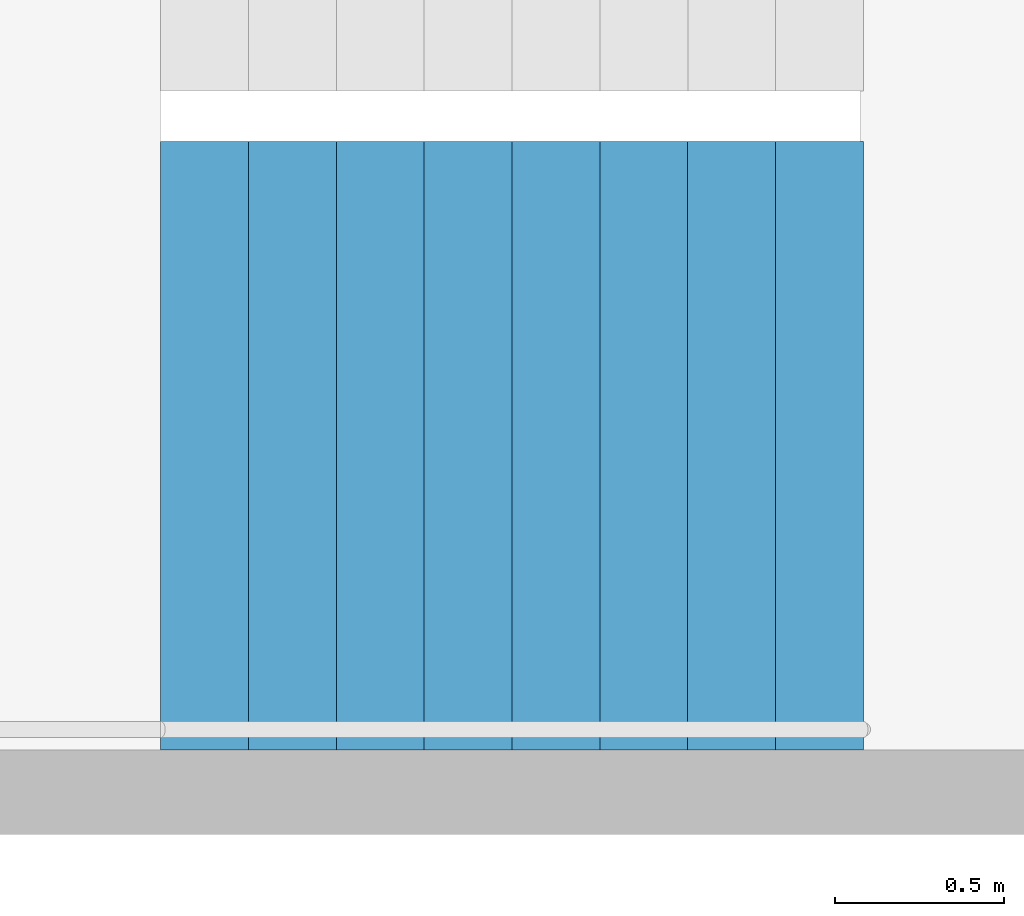
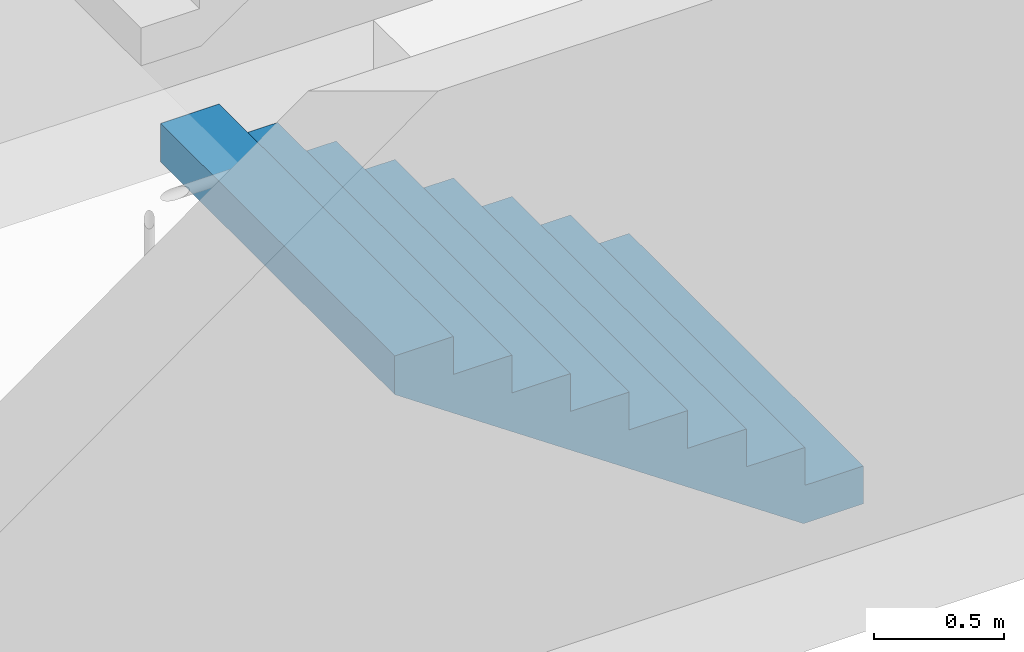
# One storey, part 26 of 28: 1 stair flight, 1 element without a shape of its own.
"""IFC4 building model written with IfcOpenShell, lengths in metres."""

from ifc_helpers import new_model, si_unit, direction, frame, origin, place, context, subcontext, project, spatial, triangles, material, type_object, element, aggregate, save


model = new_model("IFC4")

# Units and contexts
model_context = context("Model", 3, precision=1e-05, world=origin(), true_north=direction((0.0, 1.0)))
body_context = subcontext(model_context, "Body", "Model", "MODEL_VIEW")
ifc_project = project(units=[si_unit("LENGTHUNIT", "METRE"), si_unit("AREAUNIT", "SQUARE_METRE"), si_unit("VOLUMEUNIT", "CUBIC_METRE"), si_unit("PLANEANGLEUNIT", "RADIAN"), si_unit("MASSUNIT", "GRAM", prefix="KILO")], contexts=[model_context])

# Site, building, storey
site_placement = place(None, origin())
site = spatial("IfcSite", under=ifc_project, at=site_placement, CompositionType="ELEMENT")
building_placement = place(site_placement, origin())
building = spatial("IfcBuilding", under=site, at=building_placement, Name="Hakoniwa Tower and Hamabe Station Hall", CompositionType="ELEMENT")
storey_placement = place(building_placement, frame((0.0, 0.0, 42.199951171875)))
storey = spatial("IfcBuildingStorey", under=building, at=storey_placement, Name="L11", CompositionType="ELEMENT", Elevation=42.199951171875)

# Stair, stair flight
ifc_material_1 = material(Name="Concrete C40", Category="concrete")
stair_type = type_object("IfcStairType", Name="ESCAPE STAIR 1800", PredefinedType="HALF_TURN_STAIR", material=ifc_material_1)
stair_placement = place(storey_placement, origin())
stair = element("IfcStair", 1, at=stair_placement, inside=storey, type_object=stair_type, Name="Escape stair ST-3 L11", PredefinedType="HALF_TURN_STAIR")
ifc_material_2 = material(Name="Concrete C40", Category="concrete")
stair_flight_type = type_object("IfcStairFlightType", Name="STAIR FLIGHT 1800", PredefinedType="STRAIGHT", material=ifc_material_2)
stair_flight_placement = place(storey_placement, frame((24.39990234375, 4.64990234375, 0.0), z_axis=(0.0, 0.0, 1.0), x_axis=(-1.0, 0.0, 0.0)))
stair_flight = element("IfcStairFlight", 2, at=stair_flight_placement, type_object=stair_flight_type, Name="ST-3 flight 1", NumberOfRisers=9, NumberOfTreads=8, PredefinedType="STRAIGHT", RiserHeight=0.177777778, TreadLength=0.26, context=body_context, shape_type="Tessellation", body=[
    triangles([(0.0, 0.89990234375, 0.0), (0.260009765625, 0.89990234375, 0.0), (0.265625, 0.89990234375, 0.0), (0.52001953125, 0.89990234375, 0.174072265625), (0.780029296875, 0.89990234375, 0.351806640625), (1.0400390625, 0.89990234375, 0.529541015625), (1.300048828125, 0.89990234375, 0.707275390625), (1.56005859375, 0.89990234375, 0.885009765625), (1.820068359375, 0.89990234375, 1.062744140625), (2.080078125, 0.89990234375, 1.24072265625), (2.080078125, 0.89990234375, 1.422119140625), (1.820068359375, 0.89990234375, 1.422119140625), (1.820068359375, 0.89990234375, 1.244384765625), (1.56005859375, 0.89990234375, 1.244384765625), (1.56005859375, 0.89990234375, 1.066650390625), (1.300048828125, 0.89990234375, 1.066650390625), (1.300048828125, 0.89990234375, 0.888916015625), (1.0400390625, 0.89990234375, 0.888916015625), (1.0400390625, 0.89990234375, 0.711181640625), (0.780029296875, 0.89990234375, 0.711181640625), (0.780029296875, 0.89990234375, 0.533447265625), (0.52001953125, 0.89990234375, 0.533447265625), (0.52001953125, 0.89990234375, 0.35546875), (0.265625, 0.89990234375, 0.35546875), (0.260009765625, 0.89990234375, 0.35546875), (0.260009765625, 0.89990234375, 0.177734375), (0.0, 0.89990234375, 0.177734375), (0.0, 0.06005859375, 0.0), (0.260009765625, 0.06005859375, 0.0), (0.265625, 0.06005859375, 0.0), (0.52001953125, 0.06005859375, 0.174072265625), (0.780029296875, 0.06005859375, 0.351806640625), (1.0400390625, 0.06005859375, 0.529541015625), (1.300048828125, 0.06005859375, 0.707275390625), (1.56005859375, 0.06005859375, 0.885009765625), (1.820068359375, 0.06005859375, 1.062744140625), (2.080078125, 0.06005859375, 1.24072265625), (2.080078125, 0.06005859375, 1.422119140625), (1.820068359375, 0.06005859375, 1.422119140625), (1.820068359375, 0.06005859375, 1.244384765625), (1.56005859375, 0.06005859375, 1.244384765625), (1.56005859375, 0.06005859375, 1.066650390625), (1.300048828125, 0.06005859375, 1.066650390625), (1.300048828125, 0.06005859375, 0.888916015625), (1.0400390625, 0.06005859375, 0.888916015625), (1.0400390625, 0.06005859375, 0.711181640625), (0.780029296875, 0.06005859375, 0.711181640625), (0.780029296875, 0.06005859375, 0.533447265625), (0.52001953125, 0.06005859375, 0.533447265625), (0.52001953125, 0.06005859375, 0.35546875), (0.265625, 0.06005859375, 0.35546875), (0.260009765625, 0.06005859375, 0.35546875), (0.260009765625, 0.06005859375, 0.177734375), (0.0, 0.06005859375, 0.177734375), (0.0, 0.04296875, 0.0), (0.260009765625, 0.04296875, 0.0), (0.265625, 0.04296875, 0.0), (0.52001953125, 0.04296875, 0.174072265625), (0.780029296875, 0.04296875, 0.351806640625), (1.0400390625, 0.04296875, 0.529541015625), (1.300048828125, 0.04296875, 0.707275390625), (1.56005859375, 0.04296875, 0.885009765625), (1.820068359375, 0.04296875, 1.062744140625), (2.080078125, 0.04296875, 1.24072265625), (2.080078125, 0.04296875, 1.422119140625), (1.820068359375, 0.04296875, 1.422119140625), (1.820068359375, 0.04296875, 1.244384765625), (1.56005859375, 0.04296875, 1.244384765625), (1.56005859375, 0.04296875, 1.066650390625), (1.300048828125, 0.04296875, 1.066650390625), (1.300048828125, 0.04296875, 0.888916015625), (1.0400390625, 0.04296875, 0.888916015625), (1.0400390625, 0.04296875, 0.711181640625), (0.780029296875, 0.04296875, 0.711181640625), (0.780029296875, 0.04296875, 0.533447265625), (0.52001953125, 0.04296875, 0.533447265625), (0.52001953125, 0.04296875, 0.35546875), (0.265625, 0.04296875, 0.35546875), (0.260009765625, 0.04296875, 0.35546875), (0.260009765625, 0.04296875, 0.177734375), (0.0, 0.04296875, 0.177734375), (0.0, 0.025634765625, 0.0), (0.260009765625, 0.025634765625, 0.0), (0.265625, 0.025634765625, 0.0), (0.52001953125, 0.025634765625, 0.174072265625), (0.780029296875, 0.025634765625, 0.351806640625), (1.0400390625, 0.025634765625, 0.529541015625), (1.300048828125, 0.025634765625, 0.707275390625), (1.56005859375, 0.025634765625, 0.885009765625), (1.820068359375, 0.025634765625, 1.062744140625), (2.080078125, 0.025634765625, 1.24072265625), (2.080078125, 0.025634765625, 1.422119140625), (1.820068359375, 0.025634765625, 1.422119140625), (1.820068359375, 0.025634765625, 1.244384765625), (1.56005859375, 0.025634765625, 1.244384765625), (1.56005859375, 0.025634765625, 1.066650390625), (1.300048828125, 0.025634765625, 1.066650390625), (1.300048828125, 0.025634765625, 0.888916015625), (1.0400390625, 0.025634765625, 0.888916015625), (1.0400390625, 0.025634765625, 0.711181640625), (0.780029296875, 0.025634765625, 0.711181640625), (0.780029296875, 0.025634765625, 0.533447265625), (0.52001953125, 0.025634765625, 0.533447265625), (0.52001953125, 0.025634765625, 0.35546875), (0.265625, 0.025634765625, 0.35546875), (0.260009765625, 0.025634765625, 0.35546875), (0.260009765625, 0.025634765625, 0.177734375), (0.0, 0.025634765625, 0.177734375), (0.0, 0.008544921875, 0.0), (0.260009765625, 0.008544921875, 0.0), (0.265625, 0.008544921875, 0.0), (0.52001953125, 0.008544921875, 0.174072265625), (0.780029296875, 0.008544921875, 0.351806640625), (1.0400390625, 0.008544921875, 0.529541015625), (1.300048828125, 0.008544921875, 0.707275390625), (1.56005859375, 0.008544921875, 0.885009765625), (1.820068359375, 0.008544921875, 1.062744140625), (2.080078125, 0.008544921875, 1.24072265625), (2.080078125, 0.008544921875, 1.422119140625), (1.820068359375, 0.008544921875, 1.422119140625), (1.820068359375, 0.008544921875, 1.244384765625), (1.56005859375, 0.008544921875, 1.244384765625), (1.56005859375, 0.008544921875, 1.066650390625), (1.300048828125, 0.008544921875, 1.066650390625), (1.300048828125, 0.008544921875, 0.888916015625), (1.0400390625, 0.008544921875, 0.888916015625), (1.0400390625, 0.008544921875, 0.711181640625), (0.780029296875, 0.008544921875, 0.711181640625), (0.780029296875, 0.008544921875, 0.533447265625), (0.52001953125, 0.008544921875, 0.533447265625), (0.52001953125, 0.008544921875, 0.35546875), (0.265625, 0.008544921875, 0.35546875), (0.260009765625, 0.008544921875, 0.35546875), (0.260009765625, 0.008544921875, 0.177734375), (0.0, 0.008544921875, 0.177734375), (0.0, -0.008544921875, 0.0), (0.260009765625, -0.008544921875, 0.0), (0.265625, -0.008544921875, 0.0), (0.52001953125, -0.008544921875, 0.174072265625), (0.780029296875, -0.008544921875, 0.351806640625), (1.0400390625, -0.008544921875, 0.529541015625), (1.300048828125, -0.008544921875, 0.707275390625), (1.56005859375, -0.008544921875, 0.885009765625), (1.820068359375, -0.008544921875, 1.062744140625), (2.080078125, -0.008544921875, 1.24072265625), (2.080078125, -0.008544921875, 1.422119140625), (1.820068359375, -0.008544921875, 1.422119140625), (1.820068359375, -0.008544921875, 1.244384765625), (1.56005859375, -0.008544921875, 1.244384765625), (1.56005859375, -0.008544921875, 1.066650390625), (1.300048828125, -0.008544921875, 1.066650390625), (1.300048828125, -0.008544921875, 0.888916015625), (1.0400390625, -0.008544921875, 0.888916015625), (1.0400390625, -0.008544921875, 0.711181640625), (0.780029296875, -0.008544921875, 0.711181640625), (0.780029296875, -0.008544921875, 0.533447265625), (0.52001953125, -0.008544921875, 0.533447265625), (0.52001953125, -0.008544921875, 0.35546875), (0.265625, -0.008544921875, 0.35546875), (0.260009765625, -0.008544921875, 0.35546875), (0.260009765625, -0.008544921875, 0.177734375), (0.0, -0.008544921875, 0.177734375), (0.0, -0.025634765625, 0.0), (0.260009765625, -0.025634765625, 0.0), (0.265625, -0.025634765625, 0.0), (0.52001953125, -0.025634765625, 0.174072265625), (0.780029296875, -0.025634765625, 0.351806640625), (1.0400390625, -0.025634765625, 0.529541015625), (1.300048828125, -0.025634765625, 0.707275390625), (1.56005859375, -0.025634765625, 0.885009765625), (1.820068359375, -0.025634765625, 1.062744140625), (2.080078125, -0.025634765625, 1.24072265625), (2.080078125, -0.025634765625, 1.422119140625), (1.820068359375, -0.025634765625, 1.422119140625), (1.820068359375, -0.025634765625, 1.244384765625), (1.56005859375, -0.025634765625, 1.244384765625), (1.56005859375, -0.025634765625, 1.066650390625), (1.300048828125, -0.025634765625, 1.066650390625), (1.300048828125, -0.025634765625, 0.888916015625), (1.0400390625, -0.025634765625, 0.888916015625), (1.0400390625, -0.025634765625, 0.711181640625), (0.780029296875, -0.025634765625, 0.711181640625), (0.780029296875, -0.025634765625, 0.533447265625), (0.52001953125, -0.025634765625, 0.533447265625), (0.52001953125, -0.025634765625, 0.35546875), (0.265625, -0.025634765625, 0.35546875), (0.260009765625, -0.025634765625, 0.35546875), (0.260009765625, -0.025634765625, 0.177734375), (0.0, -0.025634765625, 0.177734375), (0.0, -0.04296875, 0.0), (0.260009765625, -0.04296875, 0.0), (0.265625, -0.04296875, 0.0), (0.52001953125, -0.04296875, 0.174072265625), (0.780029296875, -0.04296875, 0.351806640625), (1.0400390625, -0.04296875, 0.529541015625), (1.300048828125, -0.04296875, 0.707275390625), (1.56005859375, -0.04296875, 0.885009765625), (1.820068359375, -0.04296875, 1.062744140625), (2.080078125, -0.04296875, 1.24072265625), (2.080078125, -0.04296875, 1.422119140625), (1.820068359375, -0.04296875, 1.422119140625), (1.820068359375, -0.04296875, 1.244384765625), (1.56005859375, -0.04296875, 1.244384765625), (1.56005859375, -0.04296875, 1.066650390625), (1.300048828125, -0.04296875, 1.066650390625), (1.300048828125, -0.04296875, 0.888916015625), (1.0400390625, -0.04296875, 0.888916015625), (1.0400390625, -0.04296875, 0.711181640625), (0.780029296875, -0.04296875, 0.711181640625), (0.780029296875, -0.04296875, 0.533447265625), (0.52001953125, -0.04296875, 0.533447265625), (0.52001953125, -0.04296875, 0.35546875), (0.265625, -0.04296875, 0.35546875), (0.260009765625, -0.04296875, 0.35546875), (0.260009765625, -0.04296875, 0.177734375), (0.0, -0.04296875, 0.177734375), (0.0, -0.06005859375, 0.0), (0.260009765625, -0.06005859375, 0.0), (0.265625, -0.06005859375, 0.0), (0.52001953125, -0.06005859375, 0.174072265625), (0.780029296875, -0.06005859375, 0.351806640625), (1.0400390625, -0.06005859375, 0.529541015625), (1.300048828125, -0.06005859375, 0.707275390625), (1.56005859375, -0.06005859375, 0.885009765625), (1.820068359375, -0.06005859375, 1.062744140625), (2.080078125, -0.06005859375, 1.24072265625), (2.080078125, -0.06005859375, 1.422119140625), (1.820068359375, -0.06005859375, 1.422119140625), (1.820068359375, -0.06005859375, 1.244384765625), (1.56005859375, -0.06005859375, 1.244384765625), (1.56005859375, -0.06005859375, 1.066650390625), (1.300048828125, -0.06005859375, 1.066650390625), (1.300048828125, -0.06005859375, 0.888916015625), (1.0400390625, -0.06005859375, 0.888916015625), (1.0400390625, -0.06005859375, 0.711181640625), (0.780029296875, -0.06005859375, 0.711181640625), (0.780029296875, -0.06005859375, 0.533447265625), (0.52001953125, -0.06005859375, 0.533447265625), (0.52001953125, -0.06005859375, 0.35546875), (0.265625, -0.06005859375, 0.35546875), (0.260009765625, -0.06005859375, 0.35546875), (0.260009765625, -0.06005859375, 0.177734375), (0.0, -0.06005859375, 0.177734375), (0.0, -0.89990234375, 0.0), (0.260009765625, -0.89990234375, 0.0), (0.265625, -0.89990234375, 0.0), (0.52001953125, -0.89990234375, 0.174072265625), (0.780029296875, -0.89990234375, 0.351806640625), (1.0400390625, -0.89990234375, 0.529541015625), (1.300048828125, -0.89990234375, 0.707275390625), (1.56005859375, -0.89990234375, 0.885009765625), (1.820068359375, -0.89990234375, 1.062744140625), (2.080078125, -0.89990234375, 1.24072265625), (2.080078125, -0.89990234375, 1.422119140625), (1.820068359375, -0.89990234375, 1.422119140625), (1.820068359375, -0.89990234375, 1.244384765625), (1.56005859375, -0.89990234375, 1.244384765625), (1.56005859375, -0.89990234375, 1.066650390625), (1.300048828125, -0.89990234375, 1.066650390625), (1.300048828125, -0.89990234375, 0.888916015625), (1.0400390625, -0.89990234375, 0.888916015625), (1.0400390625, -0.89990234375, 0.711181640625), (0.780029296875, -0.89990234375, 0.711181640625), (0.780029296875, -0.89990234375, 0.533447265625), (0.52001953125, -0.89990234375, 0.533447265625), (0.52001953125, -0.89990234375, 0.35546875), (0.265625, -0.89990234375, 0.35546875), (0.260009765625, -0.89990234375, 0.35546875), (0.260009765625, -0.89990234375, 0.177734375), (0.0, -0.89990234375, 0.177734375)], [[2, 27, 26], [245, 269, 270], [2, 1, 27], [245, 270, 244], [3, 25, 24], [246, 267, 268], [3, 26, 25], [246, 268, 269], [3, 2, 26], [246, 269, 245], [4, 24, 23], [247, 266, 267], [4, 3, 24], [247, 267, 246], [5, 22, 21], [248, 264, 265], [5, 23, 22], [248, 265, 266], [5, 4, 23], [248, 266, 247], [6, 20, 19], [249, 262, 263], [6, 21, 20], [249, 263, 264], [6, 5, 21], [249, 264, 248], [7, 18, 17], [250, 260, 261], [7, 19, 18], [250, 261, 262], [7, 6, 19], [250, 262, 249], [8, 16, 15], [251, 258, 259], [8, 17, 16], [251, 259, 260], [8, 7, 17], [251, 260, 250], [9, 14, 13], [252, 256, 257], [9, 15, 14], [252, 257, 258], [9, 8, 15], [252, 258, 251], [10, 12, 11], [253, 254, 255], [10, 13, 12], [253, 255, 256], [10, 9, 13], [253, 256, 252], [1, 2, 29], [1, 29, 28], [28, 29, 56], [28, 56, 55], [55, 56, 83], [55, 83, 82], [82, 83, 110], [82, 110, 109], [109, 110, 137], [109, 137, 136], [136, 137, 164], [136, 164, 163], [163, 164, 191], [163, 191, 190], [190, 191, 218], [190, 218, 217], [217, 218, 245], [217, 245, 244], [2, 3, 30], [2, 30, 29], [29, 30, 57], [29, 57, 56], [56, 57, 84], [56, 84, 83], [83, 84, 111], [83, 111, 110], [110, 111, 138], [110, 138, 137], [137, 138, 165], [137, 165, 164], [164, 165, 192], [164, 192, 191], [191, 192, 219], [191, 219, 218], [218, 219, 246], [218, 246, 245], [3, 4, 31], [3, 31, 30], [30, 31, 58], [30, 58, 57], [57, 58, 85], [57, 85, 84], [84, 85, 112], [84, 112, 111], [111, 112, 139], [111, 139, 138], [138, 139, 166], [138, 166, 165], [165, 166, 193], [165, 193, 192], [192, 193, 220], [192, 220, 219], [219, 220, 247], [219, 247, 246], [4, 5, 32], [4, 32, 31], [31, 32, 59], [31, 59, 58], [58, 59, 86], [58, 86, 85], [85, 86, 113], [85, 113, 112], [112, 113, 140], [112, 140, 139], [139, 140, 167], [139, 167, 166], [166, 167, 194], [166, 194, 193], [193, 194, 221], [193, 221, 220], [220, 221, 248], [220, 248, 247], [5, 6, 33], [5, 33, 32], [32, 33, 60], [32, 60, 59], [59, 60, 87], [59, 87, 86], [86, 87, 114], [86, 114, 113], [113, 114, 141], [113, 141, 140], [140, 141, 168], [140, 168, 167], [167, 168, 195], [167, 195, 194], [194, 195, 222], [194, 222, 221], [221, 222, 249], [221, 249, 248], [6, 7, 34], [6, 34, 33], [33, 34, 61], [33, 61, 60], [60, 61, 88], [60, 88, 87], [87, 88, 115], [87, 115, 114], [114, 115, 142], [114, 142, 141], [141, 142, 169], [141, 169, 168], [168, 169, 196], [168, 196, 195], [195, 196, 223], [195, 223, 222], [222, 223, 250], [222, 250, 249], [7, 8, 35], [7, 35, 34], [34, 35, 62], [34, 62, 61], [61, 62, 89], [61, 89, 88], [88, 89, 116], [88, 116, 115], [115, 116, 143], [115, 143, 142], [142, 143, 170], [142, 170, 169], [169, 170, 197], [169, 197, 196], [196, 197, 224], [196, 224, 223], [223, 224, 251], [223, 251, 250], [8, 9, 36], [8, 36, 35], [35, 36, 63], [35, 63, 62], [62, 63, 90], [62, 90, 89], [89, 90, 117], [89, 117, 116], [116, 117, 144], [116, 144, 143], [143, 144, 171], [143, 171, 170], [170, 171, 198], [170, 198, 197], [197, 198, 225], [197, 225, 224], [224, 225, 252], [224, 252, 251], [9, 10, 37], [9, 37, 36], [36, 37, 64], [36, 64, 63], [63, 64, 91], [63, 91, 90], [90, 91, 118], [90, 118, 117], [117, 118, 145], [117, 145, 144], [144, 145, 172], [144, 172, 171], [171, 172, 199], [171, 199, 198], [198, 199, 226], [198, 226, 225], [225, 226, 253], [225, 253, 252], [10, 11, 38], [10, 38, 37], [37, 38, 65], [37, 65, 64], [64, 65, 92], [64, 92, 91], [91, 92, 119], [91, 119, 118], [118, 119, 146], [118, 146, 145], [145, 146, 173], [145, 173, 172], [172, 173, 200], [172, 200, 199], [199, 200, 227], [199, 227, 226], [226, 227, 254], [226, 254, 253], [11, 12, 39], [11, 39, 38], [38, 39, 66], [38, 66, 65], [65, 66, 93], [65, 93, 92], [92, 93, 120], [92, 120, 119], [119, 120, 147], [119, 147, 146], [146, 147, 174], [146, 174, 173], [173, 174, 201], [173, 201, 200], [200, 201, 228], [200, 228, 227], [227, 228, 255], [227, 255, 254], [12, 13, 40], [12, 40, 39], [39, 40, 67], [39, 67, 66], [66, 67, 94], [66, 94, 93], [93, 94, 121], [93, 121, 120], [120, 121, 148], [120, 148, 147], [147, 148, 175], [147, 175, 174], [174, 175, 202], [174, 202, 201], [201, 202, 229], [201, 229, 228], [228, 229, 256], [228, 256, 255], [13, 14, 41], [13, 41, 40], [40, 41, 68], [40, 68, 67], [67, 68, 95], [67, 95, 94], [94, 95, 122], [94, 122, 121], [121, 122, 149], [121, 149, 148], [148, 149, 176], [148, 176, 175], [175, 176, 203], [175, 203, 202], [202, 203, 230], [202, 230, 229], [229, 230, 257], [229, 257, 256], [14, 15, 42], [14, 42, 41], [41, 42, 69], [41, 69, 68], [68, 69, 96], [68, 96, 95], [95, 96, 123], [95, 123, 122], [122, 123, 150], [122, 150, 149], [149, 150, 177], [149, 177, 176], [176, 177, 204], [176, 204, 203], [203, 204, 231], [203, 231, 230], [230, 231, 258], [230, 258, 257], [15, 16, 43], [15, 43, 42], [42, 43, 70], [42, 70, 69], [69, 70, 97], [69, 97, 96], [96, 97, 124], [96, 124, 123], [123, 124, 151], [123, 151, 150], [150, 151, 178], [150, 178, 177], [177, 178, 205], [177, 205, 204], [204, 205, 232], [204, 232, 231], [231, 232, 259], [231, 259, 258], [16, 17, 44], [16, 44, 43], [43, 44, 71], [43, 71, 70], [70, 71, 98], [70, 98, 97], [97, 98, 125], [97, 125, 124], [124, 125, 152], [124, 152, 151], [151, 152, 179], [151, 179, 178], [178, 179, 206], [178, 206, 205], [205, 206, 233], [205, 233, 232], [232, 233, 260], [232, 260, 259], [17, 18, 45], [17, 45, 44], [44, 45, 72], [44, 72, 71], [71, 72, 99], [71, 99, 98], [98, 99, 126], [98, 126, 125], [125, 126, 153], [125, 153, 152], [152, 153, 180], [152, 180, 179], [179, 180, 207], [179, 207, 206], [206, 207, 234], [206, 234, 233], [233, 234, 261], [233, 261, 260], [18, 19, 46], [18, 46, 45], [45, 46, 73], [45, 73, 72], [72, 73, 100], [72, 100, 99], [99, 100, 127], [99, 127, 126], [126, 127, 154], [126, 154, 153], [153, 154, 181], [153, 181, 180], [180, 181, 208], [180, 208, 207], [207, 208, 235], [207, 235, 234], [234, 235, 262], [234, 262, 261], [19, 20, 47], [19, 47, 46], [46, 47, 74], [46, 74, 73], [73, 74, 101], [73, 101, 100], [100, 101, 128], [100, 128, 127], [127, 128, 155], [127, 155, 154], [154, 155, 182], [154, 182, 181], [181, 182, 209], [181, 209, 208], [208, 209, 236], [208, 236, 235], [235, 236, 263], [235, 263, 262], [20, 21, 48], [20, 48, 47], [47, 48, 75], [47, 75, 74], [74, 75, 102], [74, 102, 101], [101, 102, 129], [101, 129, 128], [128, 129, 156], [128, 156, 155], [155, 156, 183], [155, 183, 182], [182, 183, 210], [182, 210, 209], [209, 210, 237], [209, 237, 236], [236, 237, 264], [236, 264, 263], [21, 22, 49], [21, 49, 48], [48, 49, 76], [48, 76, 75], [75, 76, 103], [75, 103, 102], [102, 103, 130], [102, 130, 129], [129, 130, 157], [129, 157, 156], [156, 157, 184], [156, 184, 183], [183, 184, 211], [183, 211, 210], [210, 211, 238], [210, 238, 237], [237, 238, 265], [237, 265, 264], [22, 23, 50], [22, 50, 49], [49, 50, 77], [49, 77, 76], [76, 77, 104], [76, 104, 103], [103, 104, 131], [103, 131, 130], [130, 131, 158], [130, 158, 157], [157, 158, 185], [157, 185, 184], [184, 185, 212], [184, 212, 211], [211, 212, 239], [211, 239, 238], [238, 239, 266], [238, 266, 265], [23, 24, 51], [23, 51, 50], [50, 51, 78], [50, 78, 77], [77, 78, 105], [77, 105, 104], [104, 105, 132], [104, 132, 131], [131, 132, 159], [131, 159, 158], [158, 159, 186], [158, 186, 185], [185, 186, 213], [185, 213, 212], [212, 213, 240], [212, 240, 239], [239, 240, 267], [239, 267, 266], [24, 25, 52], [24, 52, 51], [51, 52, 79], [51, 79, 78], [78, 79, 106], [78, 106, 105], [105, 106, 133], [105, 133, 132], [132, 133, 160], [132, 160, 159], [159, 160, 187], [159, 187, 186], [186, 187, 214], [186, 214, 213], [213, 214, 241], [213, 241, 240], [240, 241, 268], [240, 268, 267], [25, 26, 53], [25, 53, 52], [52, 53, 80], [52, 80, 79], [79, 80, 107], [79, 107, 106], [106, 107, 134], [106, 134, 133], [133, 134, 161], [133, 161, 160], [160, 161, 188], [160, 188, 187], [187, 188, 215], [187, 215, 214], [214, 215, 242], [214, 242, 241], [241, 242, 269], [241, 269, 268], [26, 27, 54], [26, 54, 53], [53, 54, 81], [53, 81, 80], [80, 81, 108], [80, 108, 107], [107, 108, 135], [107, 135, 134], [134, 135, 162], [134, 162, 161], [161, 162, 189], [161, 189, 188], [188, 189, 216], [188, 216, 215], [215, 216, 243], [215, 243, 242], [242, 243, 270], [242, 270, 269], [27, 1, 28], [27, 28, 54], [54, 28, 55], [54, 55, 81], [81, 55, 82], [81, 82, 108], [108, 82, 109], [108, 109, 135], [135, 109, 136], [135, 136, 162], [162, 136, 163], [162, 163, 189], [189, 163, 190], [189, 190, 216], [216, 190, 217], [216, 217, 243], [243, 217, 244], [243, 244, 270]], closed=True),
])
aggregate(stair, [stair_flight])

save(model, "model.ifc")
